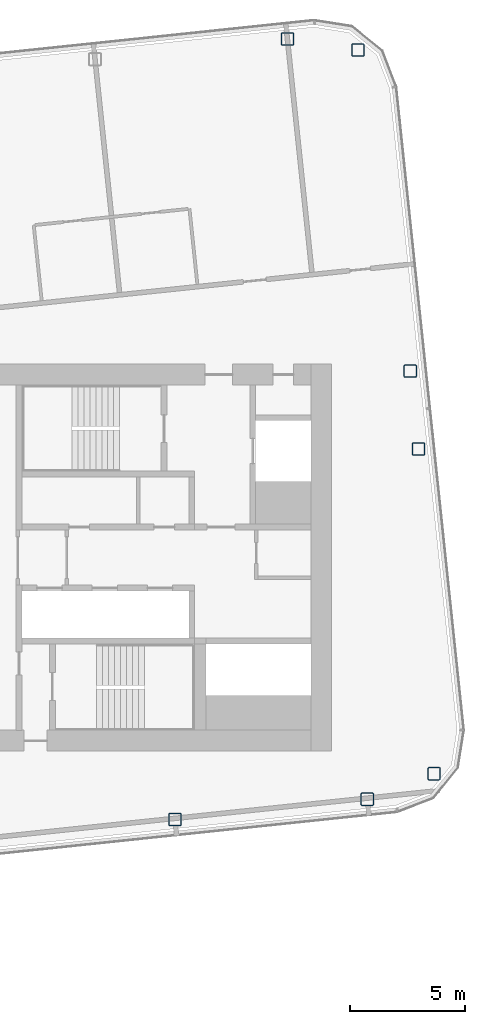
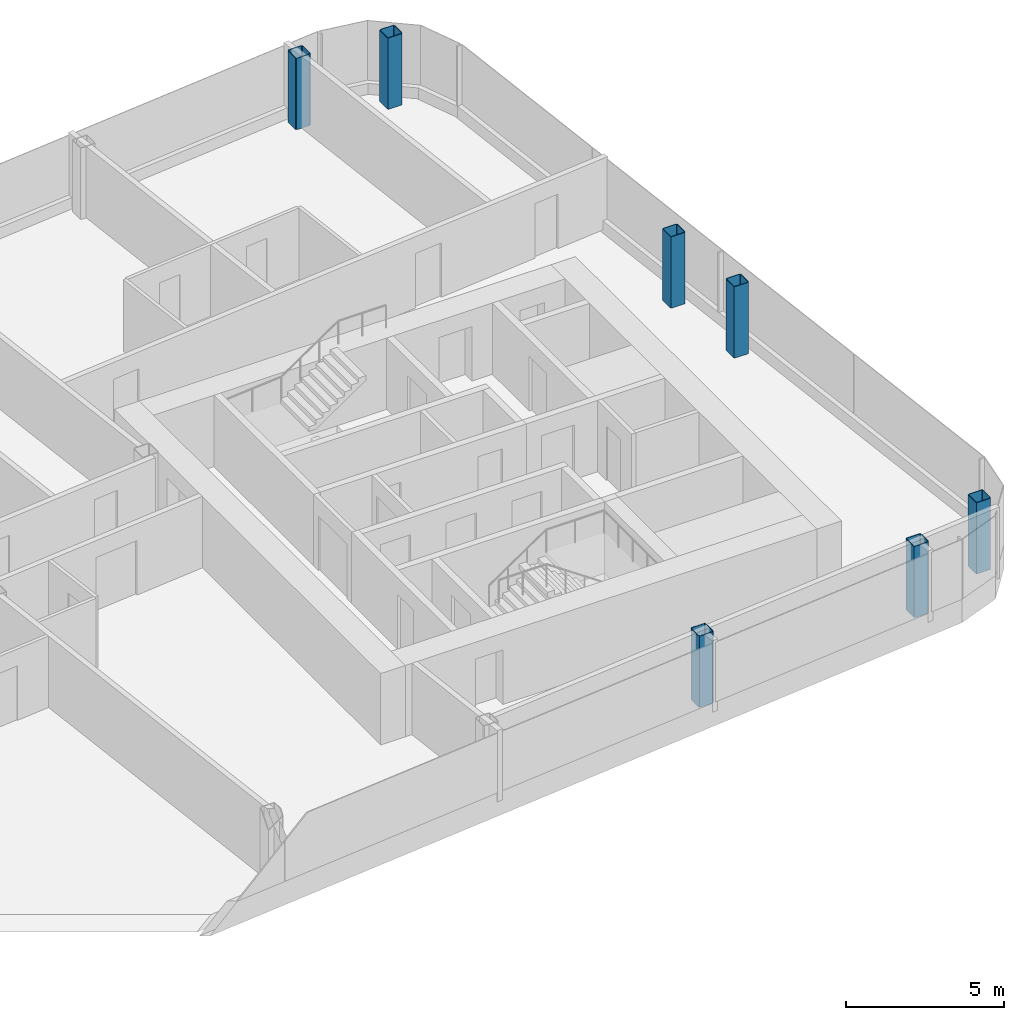
# One storey, part 2 of 27: 7 columns.
"""IFC4 building model written with IfcOpenShell, lengths in metres."""

from ifc_helpers import new_model, si_unit, direction, frame, origin, origin_2d, place, context, subcontext, project, spatial, hollow_rectangle, extrude, material, material_profile, profile_set, type_object, element, save


model = new_model("IFC4")

# Units and contexts
model_context = context("Model", 3, precision=1e-05, world=origin(), true_north=direction((0.0, 1.0)))
body_context = subcontext(model_context, "Body", "Model", "MODEL_VIEW")
ifc_project = project(units=[si_unit("LENGTHUNIT", "METRE"), si_unit("AREAUNIT", "SQUARE_METRE"), si_unit("VOLUMEUNIT", "CUBIC_METRE"), si_unit("PLANEANGLEUNIT", "RADIAN"), si_unit("MASSUNIT", "GRAM", prefix="KILO")], contexts=[model_context])

# Site, building, storey
site_placement = place(None, origin())
site = spatial("IfcSite", under=ifc_project, at=site_placement, CompositionType="ELEMENT")
building_placement = place(site_placement, origin())
building = spatial("IfcBuilding", under=site, at=building_placement, Name="Hakoniwa Tower and Hamabe Station Hall", CompositionType="ELEMENT")
storey_placement = place(building_placement, frame((0.0, 0.0, 239.0)))
storey = spatial("IfcBuildingStorey", under=building, at=storey_placement, Name="L67", CompositionType="ELEMENT", Elevation=239.0)

# Columns
ifc_material = material(Name="Steel BCP325", Category="steel")
ifc_material_profile = material_profile(ifc_material, hollow_rectangle(XDim=0.550048828125, YDim=0.550048828125, WallThickness=0.02197265625, InnerFilletRadius=0.032958984375, OuterFilletRadius=0.054931640625, at=origin_2d()), Name="BCP-550x550x22")
ifc_profile_set = profile_set([ifc_material_profile], Name="Steel BCP325")
column_type = type_object("IfcColumnType", Name="COLUMN BCP-550x550x22", PredefinedType="COLUMN", material=ifc_profile_set)
for number, where, z_axis, x_axis, name in (
    (1, (26.797119140625, -11.375, 0.0), (0.0, 0.0, 1.0), (1.0, 0.0, 0.0), "Column B5-10-A5"),
    (2, (35.151123046875, -10.496826171875, 0.0), (0.0, 0.0, 1.0), (1.0, 0.0, 0.0), "Column B5-11-A5"),
    (3, (31.680908203125, 22.521240234375, 0.0), (0.0, 0.0, 1.0), (1.0, 0.0, 0.0), "Column B5-11-F5"),
    (4, (38.054443359375, -9.390380859375, 0.0), (0.0, 0.0, 1.0), (1.0, 0.0, 0.0), "Column B5-EE-A5"),
    (5, (37.372802734375, 4.71875, 0.0), (0.0, 0.0, 1.0), (1.0, 0.0, 0.0), "Column B5-EE-C5"),
    (6, (37.017333984375, 8.10009765625, 0.0), (0.0, 0.0, 1.0), (1.0, 0.0, 0.0), "Column B5-EE-D5"),
    (7, (34.750732421875, 22.04248046875, 0.0), (0.0, 0.0, 1.0), (1.0, 0.0, 0.0), "Column B5-EE-F5"),
):
    element("IfcColumn", number, at=place(storey_placement, frame(where, z_axis=z_axis, x_axis=x_axis)), inside=storey, type_object=column_type, Name=name, PredefinedType="COLUMN", context=body_context, shape_type="SweptSolid", body=[
        extrude(hollow_rectangle(XDim=0.550048828125, YDim=0.550048828125, WallThickness=0.02197265625, InnerFilletRadius=0.032958984375, OuterFilletRadius=0.054931640625, at=origin_2d()), origin(), (0.0, 0.0, 1.0), 2.75),
    ])

save(model, "model.ifc")
